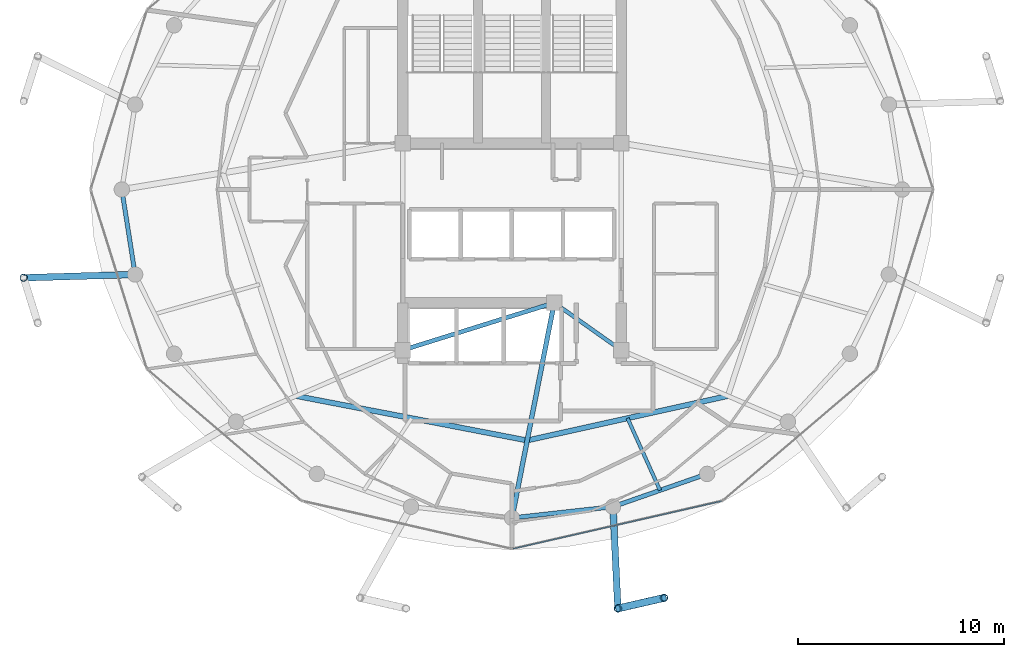
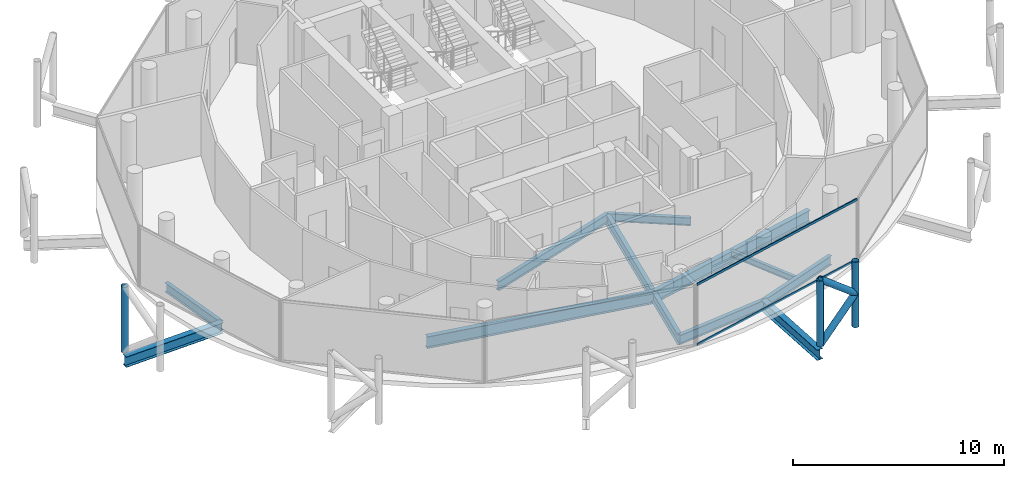
# One storey, part 5 of 24: 11 beams, 7 members, 1 element without a shape of its own.
"""IFC4 building model written with IfcOpenShell, lengths in metres."""

from ifc_helpers import new_model, si_unit, direction, frame, origin, origin_2d, place, context, subcontext, project, spatial, hollow_rectangle, hollow_circle, i_section, extrude, material, layer, layer_set, material_profile, profile_set, type_object, element, aggregate, save


model = new_model("IFC4")

# Units and contexts
model_context = context("Model", 3, precision=1e-05, world=origin(), true_north=direction((0.0, 1.0)))
body_context = subcontext(model_context, "Body", "Model", "MODEL_VIEW")
ifc_project = project(units=[si_unit("LENGTHUNIT", "METRE"), si_unit("AREAUNIT", "SQUARE_METRE"), si_unit("VOLUMEUNIT", "CUBIC_METRE"), si_unit("PLANEANGLEUNIT", "RADIAN"), si_unit("MASSUNIT", "GRAM", prefix="KILO")], contexts=[model_context])

# Site, building, storey
site_placement = place(None, origin())
site = spatial("IfcSite", under=ifc_project, at=site_placement, CompositionType="ELEMENT")
building_placement = place(site_placement, origin())
building = spatial("IfcBuilding", under=site, at=building_placement, Name="Nuhasar Tower", CompositionType="ELEMENT")
storey_placement = place(building_placement, frame((0.0, 0.0, 270.800048828125)))
storey = spatial("IfcBuildingStorey", under=building, at=storey_placement, Name="L67", CompositionType="ELEMENT", Elevation=270.800048828125)

# Beams
ifc_material_1 = material(Name="Steel S355", Category="steel")
ifc_material_profile_1 = material_profile(ifc_material_1, i_section(OverallWidth=0.25390625, OverallDepth=0.68408203125, WebThickness=0.012451171875, FlangeThickness=0.018798828125, at=origin_2d()), Name="W27X94")
ifc_profile_set_1 = profile_set([ifc_material_profile_1], Name="Steel S355")
beam_type_1 = type_object("IfcBeamType", Name="BM-INRING-W27X94", PredefinedType="BEAM", material=ifc_profile_set_1)
beam_1_placement = place(storey_placement, frame((28.51611328125, 16.77392578125, -0.60205078125), z_axis=(0.981944682954, -0.189168283859, 0.0), x_axis=(0.189168283859, 0.981944682954, 0.0)))
element("IfcBeam", 1, at=beam_1_placement, inside=storey, type_object=beam_type_1, Name="L67 Inner Header Beam 01", PredefinedType="BEAM", context=body_context, shape_type="SweptSolid", body=[
    extrude(i_section(OverallWidth=0.25390625, OverallDepth=0.68408203125, WebThickness=0.012451171875, FlangeThickness=0.018798828125, at=origin_2d()), origin(), (0.0, 0.0, 1.0), 11.42822265625),
])
beam_2_placement = place(storey_placement, frame((39.738037109375, 14.612060546875, -0.60205078125), z_axis=(0.97626927806, 0.216560145726, 0.0), x_axis=(-0.216560145726, 0.97626927806, 0.0)))
element("IfcBeam", 2, at=beam_2_placement, inside=storey, type_object=beam_type_1, Name="L67 Inner Header Beam 02", PredefinedType="BEAM", context=body_context, shape_type="SweptSolid", body=[
    extrude(i_section(OverallWidth=0.25390625, OverallDepth=0.68408203125, WebThickness=0.012451171875, FlangeThickness=0.018798828125, at=origin_2d()), origin(), (0.0, 0.0, 1.0), 9.982666015625),
])
ifc_material_profile_2 = material_profile(ifc_material_1, i_section(OverallWidth=0.1708984375, OverallDepth=0.35205078125, WebThickness=0.0068359375, FlangeThickness=0.009765625, at=origin_2d()), Name="W14X30")
ifc_profile_set_2 = profile_set([ifc_material_profile_2], Name="Steel S355")
beam_type_2 = type_object("IfcBeamType", Name="BM-JST-W14X30", PredefinedType="JOIST", material=ifc_profile_set_2)
beam_3_placement = place(storey_placement, frame((44.611083984375, 15.693115234375, -0.43603515625), z_axis=(0.41089033708, -0.911684776057, 0.0), x_axis=(0.911684776057, 0.41089033708, 0.0)))
element("IfcBeam", 3, at=beam_3_placement, inside=storey, type_object=beam_type_2, Name="L67 Secondary Floor Joist 02", PredefinedType="JOIST", context=body_context, shape_type="SweptSolid", body=[
    extrude(i_section(OverallWidth=0.1708984375, OverallDepth=0.35205078125, WebThickness=0.0068359375, FlangeThickness=0.009765625, at=origin_2d()), origin(), (0.0, 0.0, 1.0), 3.842529296875),
])
ifc_material_profile_3 = material_profile(ifc_material_1, i_section(OverallWidth=0.18994140625, OverallDepth=0.45703125, WebThickness=0.009033203125, FlangeThickness=0.014404296875, at=origin_2d()), Name="W18X50")
ifc_profile_set_3 = profile_set([ifc_material_profile_3], Name="Steel S355")
beam_type_3 = type_object("IfcBeamType", Name="BM-RAD-W18X50", PredefinedType="BEAM", material=ifc_profile_set_3)
beam_4_placement = place(storey_placement, frame((41.050048828125, 21.300048828125, -0.488037109375), z_axis=(0.816265428953, -0.577677028708, 0.0), x_axis=(0.577677028708, 0.816265428953, 0.0)))
element("IfcBeam", 4, at=beam_4_placement, inside=storey, type_object=beam_type_3, Name="L67 Core Ring Girder 2", PredefinedType="BEAM", context=body_context, shape_type="SweptSolid", body=[
    extrude(i_section(OverallWidth=0.18994140625, OverallDepth=0.45703125, WebThickness=0.009033203125, FlangeThickness=0.014404296875, at=origin_2d()), origin(), (0.0, 0.0, 1.0), 3.9814453125),
])
ifc_material_profile_4 = material_profile(ifc_material_1, i_section(OverallWidth=0.208984375, OverallDepth=0.528076171875, WebThickness=0.009521484375, FlangeThickness=0.01318359375, at=origin_2d()), Name="W21X55")
ifc_profile_set_4 = profile_set([ifc_material_profile_4], Name="Steel S355")
beam_type_4 = type_object("IfcBeamType", Name="BM-RAD-W21X55", PredefinedType="BEAM", material=ifc_profile_set_4)
beam_5_placement = place(storey_placement, frame((33.699951171875, 19.0, -0.524169921875), z_axis=(0.954363709454, 0.298646798205, 0.0), x_axis=(-0.298646798205, 0.954363709454, 0.0)))
element("IfcBeam", 5, at=beam_5_placement, inside=storey, type_object=beam_type_4, Name="L67 Core Ring Girder 1", PredefinedType="BEAM", context=body_context, shape_type="SweptSolid", body=[
    extrude(i_section(OverallWidth=0.208984375, OverallDepth=0.528076171875, WebThickness=0.009521484375, FlangeThickness=0.01318359375, at=origin_2d()), origin(), (0.0, 0.0, 1.0), 7.70166015625),
])
ifc_material_profile_5 = material_profile(ifc_material_1, i_section(OverallWidth=0.22900390625, OverallDepth=0.612060546875, WebThickness=0.011962890625, FlangeThickness=0.01953125, at=origin_2d()), Name="W24X84")
ifc_profile_set_5 = profile_set([ifc_material_profile_5], Name="Steel S355")
beam_type_5 = type_object("IfcBeamType", Name="BM-RAD-W24X84", PredefinedType="BEAM", material=ifc_profile_set_5)
beam_6_placement = place(storey_placement, frame((41.050048828125, 21.300048828125, -0.566162109375), z_axis=(-0.192508395576, -0.981295326409, 0.0), x_axis=(0.981295326409, -0.192508395576, 0.0)))
element("IfcBeam", 6, at=beam_6_placement, inside=storey, type_object=beam_type_5, Name="L67 Radial Floor Girder 02", PredefinedType="BEAM", context=body_context, shape_type="SweptSolid", body=[
    extrude(i_section(OverallWidth=0.22900390625, OverallDepth=0.612060546875, WebThickness=0.011962890625, FlangeThickness=0.01953125, at=origin_2d()), origin(), (0.0, 0.0, 1.0), 10.649169921875),
])
ifc_material_profile_6 = material_profile(ifc_material_1, i_section(OverallWidth=0.2099609375, OverallDepth=0.537109375, WebThickness=0.010986328125, FlangeThickness=0.017333984375, at=origin_2d()), Name="W21X68")
ifc_profile_set_6 = profile_set([ifc_material_profile_6], Name="Steel S355")
beam_type_6 = type_object("IfcBeamType", Name="BM-RING-W21X68", PredefinedType="SPANDREL", material=ifc_profile_set_6)
beam_7_placement = place(storey_placement, frame((20.050048828125, 26.800048828125, -0.528076171875), z_axis=(0.154612165232, -0.987975241776, 0.0), x_axis=(0.987975241776, 0.154612165232, 0.0)))
element("IfcBeam", 7, at=beam_7_placement, inside=storey, type_object=beam_type_6, Name="L67 Perimeter Ring Spandrel 13", PredefinedType="SPANDREL", context=body_context, shape_type="SweptSolid", body=[
    extrude(i_section(OverallWidth=0.2099609375, OverallDepth=0.537109375, WebThickness=0.010986328125, FlangeThickness=0.017333984375, at=origin_2d()), origin(), (0.0, 0.0, 1.0), 4.17822265625),
])
beam_8_placement = place(storey_placement, frame((39.0, 10.85009765625, -0.528076171875), z_axis=(0.99392889943, 0.110024283128, 0.0), x_axis=(-0.110024283128, 0.99392889943, 0.0)))
element("IfcBeam", 8, at=beam_8_placement, inside=storey, type_object=beam_type_6, Name="L67 Perimeter Ring Spandrel 19", PredefinedType="SPANDREL", context=body_context, shape_type="SweptSolid", body=[
    extrude(i_section(OverallWidth=0.2099609375, OverallDepth=0.537109375, WebThickness=0.010986328125, FlangeThickness=0.017333984375, at=origin_2d()), origin(), (0.0, 0.0, 1.0), 4.93505859375),
])
beam_9_placement = place(storey_placement, frame((43.905029296875, 11.39306640625, -0.528076171875), z_axis=(0.944214043504, 0.329332415729, 0.0), x_axis=(-0.329332415729, 0.944214043504, 0.0)))
element("IfcBeam", 9, at=beam_9_placement, inside=storey, type_object=beam_type_6, Name="L67 Perimeter Ring Spandrel 20", PredefinedType="SPANDREL", context=body_context, shape_type="SweptSolid", body=[
    extrude(i_section(OverallWidth=0.2099609375, OverallDepth=0.537109375, WebThickness=0.010986328125, FlangeThickness=0.017333984375, at=origin_2d()), origin(), (0.0, 0.0, 1.0), 4.840087890625),
])
ifc_material_profile_7 = material_profile(ifc_material_1, i_section(OverallWidth=0.323974609375, OverallDepth=0.611083984375, WebThickness=0.0126953125, FlangeThickness=0.01904296875, at=origin_2d()), Name="W24X104")
ifc_profile_set_7 = profile_set([ifc_material_profile_7], Name="Steel S355")
beam_type_7 = type_object("IfcBeamType", Name="BM-TIE-W24X104", PredefinedType="BEAM", material=ifc_profile_set_7)
beam_10_placement = place(storey_placement, frame((20.696044921875, 22.672119140625, -0.56494140625), z_axis=(-0.999573346236, -0.029208312065, 0.0), x_axis=(0.029208312065, -0.999573346236, 0.0)))
element("IfcBeam", 10, at=beam_10_placement, inside=storey, type_object=beam_type_7, Name="L67 Exoskeleton Node Tie Beam 07", PredefinedType="BEAM", context=body_context, shape_type="SweptSolid", body=[
    extrude(i_section(OverallWidth=0.323974609375, OverallDepth=0.611083984375, WebThickness=0.0126953125, FlangeThickness=0.01904296875, at=origin_2d()), origin(), (0.0, 0.0, 1.0), 5.416259765625),
])
beam_11_placement = place(storey_placement, frame((43.905029296875, 11.39306640625, -0.56494140625), z_axis=(0.048109027225, -0.998842090372, 0.0), x_axis=(0.998842090372, 0.048109027225, 0.0)))
element("IfcBeam", 11, at=beam_11_placement, inside=storey, type_object=beam_type_7, Name="L67 Exoskeleton Node Tie Beam 10", PredefinedType="BEAM", context=body_context, shape_type="SweptSolid", body=[
    extrude(i_section(OverallWidth=0.323974609375, OverallDepth=0.611083984375, WebThickness=0.0126953125, FlangeThickness=0.01904296875, at=origin_2d()), origin(), (0.0, 0.0, 1.0), 4.94775390625),
])

# Curtain wall, members
ifc_material_2 = material(Name="Aluminium 6063-T6", Category="aluminium")
ifc_layer = layer(ifc_material_2, 0.18994140625)
ifc_layer_set = layer_set([ifc_layer], Name="Aluminium 6063-T6")
curtain_wall_type = type_object("IfcCurtainWallType", Name="CW-Z4-PEN", PredefinedType="NOTDEFINED", material=ifc_layer_set)
curtain_wall_placement = place(storey_placement, origin())
curtain_wall = element("IfcCurtainWall", 12, at=curtain_wall_placement, inside=storey, type_object=curtain_wall_type, Name="L67 Unitised Curtain Wall 10", PredefinedType="NOTDEFINED")
ifc_material_profile_8 = material_profile(ifc_material_2, hollow_rectangle(XDim=0.06005859375, YDim=0.135009765625, WallThickness=0.00439453125, at=origin_2d()), Name="CWT-5")
ifc_profile_set_8 = profile_set([ifc_material_profile_8], Name="Aluminium 6063-T6")
member_type_1 = type_object("IfcMemberType", Name="CW-TRN-S5", PredefinedType="USERDEFINED", material=ifc_profile_set_8)
member_1_placement = place(storey_placement, frame((39.05859375, 9.353271484375, 0.030029296875), z_axis=(0.974843752401, 0.222889341163, 0.0), x_axis=(-0.222889341163, 0.974843752401, 0.0)))
member_1 = element("IfcMember", 13, at=member_1_placement, type_object=member_type_1, Name="CW-Z4 transom 1.1", ObjectType="TRANSOM", PredefinedType="USERDEFINED", context=body_context, shape_type="SweptSolid", body=[
    extrude(hollow_rectangle(XDim=0.06005859375, YDim=0.135009765625, WallThickness=0.00439453125, at=origin_2d()), origin(), (0.0, 0.0, 1.0), 10.3740234375),
])
member_2_placement = place(storey_placement, frame((39.05859375, 9.353271484375, 3.510009765625), z_axis=(0.974843752401, 0.222889341163, 0.0), x_axis=(-0.222889341163, 0.974843752401, 0.0)))
member_2 = element("IfcMember", 14, at=member_2_placement, type_object=member_type_1, Name="CW-Z4 transom 1.2", ObjectType="TRANSOM", PredefinedType="USERDEFINED", context=body_context, shape_type="SweptSolid", body=[
    extrude(hollow_rectangle(XDim=0.06005859375, YDim=0.135009765625, WallThickness=0.00439453125, at=origin_2d()), origin(), (0.0, 0.0, 1.0), 10.3740234375),
])
aggregate(curtain_wall, [member_1, member_2])

# Members
ifc_material_3 = material(Name="Steel S460", Category="steel")
ifc_material_profile_9 = material_profile(ifc_material_3, hollow_circle(Radius=0.177734375, WallThickness=0.015869140625, at=origin_2d()), Name="HSS355.6X15.9")
ifc_profile_set_9 = profile_set([ifc_material_profile_9], Name="Steel S460")
member_type_2 = type_object("IfcMemberType", Name="EXO-BRONZE-356", PredefinedType="BRACE", material=ifc_profile_set_9)
for number, where, z_axis, x_axis, name in (
    (15, (15.281982421875, 22.513916015625, 0.0), (0.0, 0.0, 1.0), (1.0, 0.0, 0.0), "L67 Exoskeleton Chord Column EC-07A"),
    (16, (44.14306640625, 6.450927734375, 0.0), (0.0, 0.0, 1.0), (1.0, 0.0, 0.0), "L67 Exoskeleton Chord Column EC-10A"),
    (17, (46.384033203125, 6.967041015625, 0.0), (0.0, 0.0, 1.0), (1.0, 0.0, 0.0), "L67 Exoskeleton Chord Column EC-10B"),
):
    element("IfcMember", number, at=place(storey_placement, frame(where, z_axis=z_axis, x_axis=x_axis)), inside=storey, type_object=member_type_2, Name=name, PredefinedType="BRACE", context=body_context, shape_type="SweptSolid", body=[
        extrude(hollow_circle(Radius=0.177734375, WallThickness=0.015869140625, at=origin_2d()), origin(), (0.0, 0.0, 1.0), 3.800048828125),
    ])
member_3_placement = place(storey_placement, frame((44.14306640625, 6.450927734375, 0.0), z_axis=(0.751260978137, 0.173021648086, 0.636922642103), x_axis=(-0.224433035437, 0.97448951385, 0.0)))
element("IfcMember", 18, at=member_3_placement, inside=storey, type_object=member_type_2, Name="L67 Bronze Diagrid Brace W1-10", PredefinedType="BRACE", context=body_context, shape_type="SweptSolid", body=[
    extrude(hollow_circle(Radius=0.177734375, WallThickness=0.015869140625, at=origin_2d()), origin(), (0.0, 0.0, 1.0), 2.98291015625),
])
member_4_placement = place(storey_placement, frame((46.384033203125, 6.967041015625, 1.89990234375), z_axis=(-0.751221815951, -0.173012628709, 0.636971281571), x_axis=(0.224433035437, -0.97448951385, 0.0)))
element("IfcMember", 19, at=member_4_placement, inside=storey, type_object=member_type_2, Name="L67 Bronze Diagrid Brace W2-10", PredefinedType="BRACE", context=body_context, shape_type="SweptSolid", body=[
    extrude(hollow_circle(Radius=0.177734375, WallThickness=0.015869140625, at=origin_2d()), origin(), (0.0, 0.0, 1.0), 2.983154296875),
])

save(model, "model.ifc")
